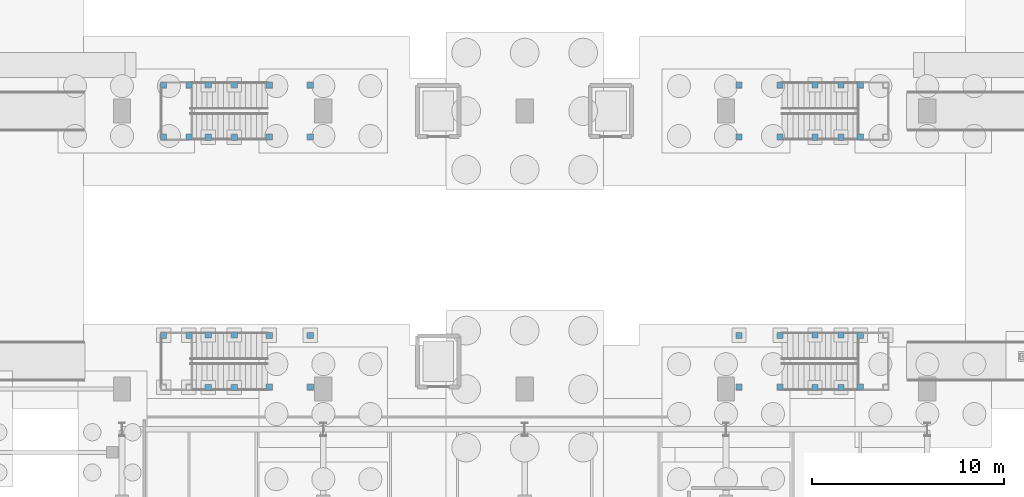
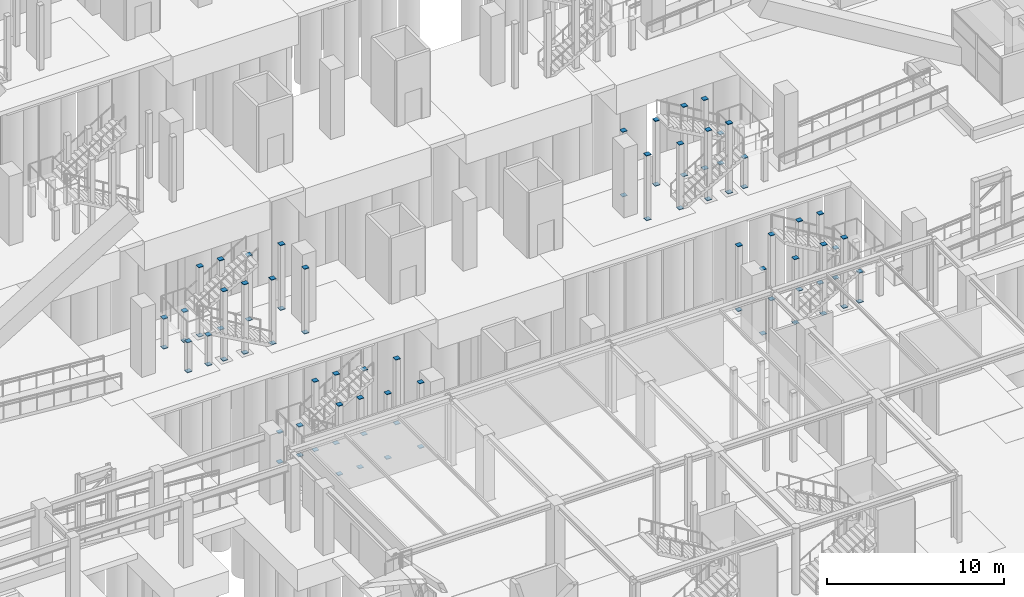
# One storey, part 124 of 160: 84 discrete accessories.
"""IFC4 building model written with IfcOpenShell, lengths in metres."""

from ifc_helpers import new_model, si_unit, direction, frame, origin, origin_2d, place, context, subcontext, project, spatial, rectangle, extrude, material, element, save


model = new_model("IFC4")

# Units and contexts
model_context = context("Model", 3, precision=1e-05, world=origin(), true_north=direction((0.0, 1.0)))
body_context = subcontext(model_context, "Body", "Model", "MODEL_VIEW")
ifc_project = project(units=[si_unit("LENGTHUNIT", "METRE"), si_unit("AREAUNIT", "SQUARE_METRE"), si_unit("VOLUMEUNIT", "CUBIC_METRE"), si_unit("PLANEANGLEUNIT", "RADIAN"), si_unit("MASSUNIT", "GRAM", prefix="KILO")], contexts=[model_context])

# Site, building, storey
site_placement = place(None, origin())
site = spatial("IfcSite", under=ifc_project, at=site_placement, CompositionType="ELEMENT")
building_placement = place(site_placement, origin())
building = spatial("IfcBuilding", under=site, at=building_placement, Name="Marlcrest Central Station", CompositionType="ELEMENT")
storey_placement = place(building_placement, origin())
storey = spatial("IfcBuildingStorey", under=building, at=storey_placement, Name="L00", CompositionType="ELEMENT", Elevation=0.0)

# Discrete accessories
ifc_material = material(Name="Steel S355", Category="steel")
for number, where, z_axis, x_axis, name in (
    (1, (94.679931640625, 36.60009765625, -0.014892578125), (0.0, 0.0, 1.0), (1.0, 0.0, 0.0), "endcap-stcol-tr-0001-946-366-s"),
    (2, (94.679931640625, 36.60009765625, 4.455078125), (0.0, 0.0, 1.0), (1.0, 0.0, 0.0), "endcap-stcol-tr-0001-946-366-e"),
    (3, (94.679931640625, 39.300048828125, -0.014892578125), (0.0, 0.0, 1.0), (1.0, 0.0, 0.0), "endcap-stcol-tr-0001-946-393-s"),
    (4, (94.679931640625, 39.300048828125, 4.455078125), (0.0, 0.0, 1.0), (1.0, 0.0, 0.0), "endcap-stcol-tr-0001-946-393-e"),
    (5, (96.820068359375, 36.60009765625, -0.014892578125), (0.0, 0.0, 1.0), (1.0, 0.0, 0.0), "endcap-stcol-tr-0001-968-366-s"),
    (6, (96.820068359375, 36.60009765625, 4.455078125), (0.0, 0.0, 1.0), (1.0, 0.0, 0.0), "endcap-stcol-tr-0001-968-366-e"),
    (7, (96.820068359375, 39.300048828125, -0.014892578125), (0.0, 0.0, 1.0), (1.0, 0.0, 0.0), "endcap-stcol-tr-0001-968-393-s"),
    (8, (96.820068359375, 39.300048828125, 4.455078125), (0.0, 0.0, 1.0), (1.0, 0.0, 0.0), "endcap-stcol-tr-0001-968-393-e"),
    (9, (89.169921875, 39.300048828125, -0.014892578125), (0.0, 0.0, 1.0), (1.0, 0.0, 0.0), "endcap-stcol-0002-891-393-s"),
    (10, (89.169921875, 39.300048828125, 2.05517578125), (0.0, 0.0, 1.0), (1.0, 0.0, 0.0), "endcap-stcol-0002-891-393-e"),
    (11, (90.489990234375, 39.300048828125, -0.014892578125), (0.0, 0.0, 1.0), (1.0, 0.0, 0.0), "endcap-stcol-0002-904-393-s"),
    (12, (90.489990234375, 39.300048828125, 2.05517578125), (0.0, 0.0, 1.0), (1.0, 0.0, 0.0), "endcap-stcol-0002-904-393-e"),
    (13, (91.5, 36.580078125, -0.014892578125), (0.0, 0.0, 1.0), (1.0, 0.0, 0.0), "endcap-stcol-hi0-0003-915-365-s"),
    (14, (91.5, 36.580078125, 4.775146484375), (0.0, 0.0, 1.0), (1.0, 0.0, 0.0), "endcap-stcol-hi0-0003-915-365-e"),
    (15, (91.5, 39.320068359375, -0.014892578125), (0.0, 0.0, 1.0), (1.0, 0.0, 0.0), "endcap-stcol-hi0-0003-915-393-s"),
    (16, (91.5, 39.320068359375, 4.775146484375), (0.0, 0.0, 1.0), (1.0, 0.0, 0.0), "endcap-stcol-hi0-0003-915-393-e"),
    (17, (92.860107421875, 36.580078125, -0.014892578125), (0.0, 0.0, 1.0), (1.0, 0.0, 0.0), "endcap-stcol-hi0-0003-928-365-s"),
    (18, (92.860107421875, 36.580078125, 4.775146484375), (0.0, 0.0, 1.0), (1.0, 0.0, 0.0), "endcap-stcol-hi0-0003-928-365-e"),
    (19, (92.860107421875, 39.320068359375, -0.014892578125), (0.0, 0.0, 1.0), (1.0, 0.0, 0.0), "endcap-stcol-hi0-0003-928-393-s"),
    (20, (92.860107421875, 39.320068359375, 4.775146484375), (0.0, 0.0, 1.0), (1.0, 0.0, 0.0), "endcap-stcol-hi0-0003-928-393-e"),
    (21, (119.179931640625, 36.60009765625, -0.014892578125), (0.0, 0.0, 1.0), (1.0, 0.0, 0.0), "endcap-stcol-tr-0004-1191-366-s"),
    (22, (119.179931640625, 36.60009765625, 4.455078125), (0.0, 0.0, 1.0), (1.0, 0.0, 0.0), "endcap-stcol-tr-0004-1191-366-e"),
    (23, (119.179931640625, 39.300048828125, -0.014892578125), (0.0, 0.0, 1.0), (1.0, 0.0, 0.0), "endcap-stcol-tr-0004-1191-393-s"),
    (24, (119.179931640625, 39.300048828125, 4.455078125), (0.0, 0.0, 1.0), (1.0, 0.0, 0.0), "endcap-stcol-tr-0004-1191-393-e"),
    (25, (121.320068359375, 36.60009765625, -0.014892578125), (0.0, 0.0, 1.0), (1.0, 0.0, 0.0), "endcap-stcol-tr-0004-1213-366-s"),
    (26, (121.320068359375, 36.60009765625, 4.455078125), (0.0, 0.0, 1.0), (1.0, 0.0, 0.0), "endcap-stcol-tr-0004-1213-366-e"),
    (27, (121.320068359375, 39.300048828125, -0.014892578125), (0.0, 0.0, 1.0), (1.0, 0.0, 0.0), "endcap-stcol-tr-0004-1213-393-s"),
    (28, (121.320068359375, 39.300048828125, 4.455078125), (0.0, 0.0, 1.0), (1.0, 0.0, 0.0), "endcap-stcol-tr-0004-1213-393-e"),
    (29, (125.510009765625, 36.60009765625, -0.014892578125), (0.0, 0.0, 1.0), (1.0, 0.0, 0.0), "endcap-stcol-0005-1255-366-s"),
    (30, (125.510009765625, 36.60009765625, 2.05517578125), (0.0, 0.0, 1.0), (1.0, 0.0, 0.0), "endcap-stcol-0005-1255-366-e"),
    (31, (125.510009765625, 39.300048828125, -0.014892578125), (0.0, 0.0, 1.0), (1.0, 0.0, 0.0), "endcap-stcol-0005-1255-393-s"),
    (32, (125.510009765625, 39.300048828125, 2.05517578125), (0.0, 0.0, 1.0), (1.0, 0.0, 0.0), "endcap-stcol-0005-1255-393-e"),
    (33, (123.139892578125, 36.580078125, -0.014892578125), (0.0, 0.0, 1.0), (1.0, 0.0, 0.0), "endcap-stcol-hi0-0006-1231-365-s"),
    (34, (123.139892578125, 36.580078125, 4.775146484375), (0.0, 0.0, 1.0), (1.0, 0.0, 0.0), "endcap-stcol-hi0-0006-1231-365-e"),
    (35, (123.139892578125, 39.320068359375, -0.014892578125), (0.0, 0.0, 1.0), (1.0, 0.0, 0.0), "endcap-stcol-hi0-0006-1231-393-s"),
    (36, (123.139892578125, 39.320068359375, 4.775146484375), (0.0, 0.0, 1.0), (1.0, 0.0, 0.0), "endcap-stcol-hi0-0006-1231-393-e"),
    (37, (124.5, 36.580078125, -0.014892578125), (0.0, 0.0, 1.0), (1.0, 0.0, 0.0), "endcap-stcol-hi0-0006-1245-365-s"),
    (38, (124.5, 36.580078125, 4.775146484375), (0.0, 0.0, 1.0), (1.0, 0.0, 0.0), "endcap-stcol-hi0-0006-1245-365-e"),
    (39, (124.5, 39.320068359375, -0.014892578125), (0.0, 0.0, 1.0), (1.0, 0.0, 0.0), "endcap-stcol-hi0-0006-1245-393-s"),
    (40, (124.5, 39.320068359375, 4.775146484375), (0.0, 0.0, 1.0), (1.0, 0.0, 0.0), "endcap-stcol-hi0-0006-1245-393-e"),
    (41, (94.679931640625, 49.64990234375, -0.014892578125), (0.0, 0.0, 1.0), (1.0, 0.0, 0.0), "endcap-stcol-tr-0007-946-496-s"),
    (42, (94.679931640625, 49.64990234375, 4.455078125), (0.0, 0.0, 1.0), (1.0, 0.0, 0.0), "endcap-stcol-tr-0007-946-496-e"),
    (43, (94.679931640625, 52.35009765625, -0.014892578125), (0.0, 0.0, 1.0), (1.0, 0.0, 0.0), "endcap-stcol-tr-0007-946-523-s"),
    (44, (94.679931640625, 52.35009765625, 4.455078125), (0.0, 0.0, 1.0), (1.0, 0.0, 0.0), "endcap-stcol-tr-0007-946-523-e"),
    (45, (96.820068359375, 49.64990234375, -0.014892578125), (0.0, 0.0, 1.0), (1.0, 0.0, 0.0), "endcap-stcol-tr-0007-968-496-s"),
    (46, (96.820068359375, 49.64990234375, 4.455078125), (0.0, 0.0, 1.0), (1.0, 0.0, 0.0), "endcap-stcol-tr-0007-968-496-e"),
    (47, (96.820068359375, 52.35009765625, -0.014892578125), (0.0, 0.0, 1.0), (1.0, 0.0, 0.0), "endcap-stcol-tr-0007-968-523-s"),
    (48, (96.820068359375, 52.35009765625, 4.455078125), (0.0, 0.0, 1.0), (1.0, 0.0, 0.0), "endcap-stcol-tr-0007-968-523-e"),
    (49, (89.169921875, 49.64990234375, -0.014892578125), (0.0, 0.0, 1.0), (1.0, 0.0, 0.0), "endcap-stcol-0008-891-496-s"),
    (50, (89.169921875, 49.64990234375, 2.05517578125), (0.0, 0.0, 1.0), (1.0, 0.0, 0.0), "endcap-stcol-0008-891-496-e"),
    (51, (89.169921875, 52.35009765625, -0.014892578125), (0.0, 0.0, 1.0), (1.0, 0.0, 0.0), "endcap-stcol-0008-891-523-s"),
    (52, (89.169921875, 52.35009765625, 2.05517578125), (0.0, 0.0, 1.0), (1.0, 0.0, 0.0), "endcap-stcol-0008-891-523-e"),
    (53, (90.489990234375, 49.64990234375, -0.014892578125), (0.0, 0.0, 1.0), (1.0, 0.0, 0.0), "endcap-stcol-0008-904-496-s"),
    (54, (90.489990234375, 49.64990234375, 2.05517578125), (0.0, 0.0, 1.0), (1.0, 0.0, 0.0), "endcap-stcol-0008-904-496-e"),
    (55, (90.489990234375, 52.35009765625, -0.014892578125), (0.0, 0.0, 1.0), (1.0, 0.0, 0.0), "endcap-stcol-0008-904-523-s"),
    (56, (90.489990234375, 52.35009765625, 2.05517578125), (0.0, 0.0, 1.0), (1.0, 0.0, 0.0), "endcap-stcol-0008-904-523-e"),
    (57, (91.5, 49.6298828125, -0.014892578125), (0.0, 0.0, 1.0), (1.0, 0.0, 0.0), "endcap-stcol-hi0-0009-915-496-s"),
    (58, (91.5, 49.6298828125, 4.775146484375), (0.0, 0.0, 1.0), (1.0, 0.0, 0.0), "endcap-stcol-hi0-0009-915-496-e"),
    (59, (91.5, 52.3701171875, -0.014892578125), (0.0, 0.0, 1.0), (1.0, 0.0, 0.0), "endcap-stcol-hi0-0009-915-523-s"),
    (60, (91.5, 52.3701171875, 4.775146484375), (0.0, 0.0, 1.0), (1.0, 0.0, 0.0), "endcap-stcol-hi0-0009-915-523-e"),
    (61, (92.860107421875, 49.6298828125, -0.014892578125), (0.0, 0.0, 1.0), (1.0, 0.0, 0.0), "endcap-stcol-hi0-0009-928-496-s"),
    (62, (92.860107421875, 49.6298828125, 4.775146484375), (0.0, 0.0, 1.0), (1.0, 0.0, 0.0), "endcap-stcol-hi0-0009-928-496-e"),
    (63, (92.860107421875, 52.3701171875, -0.014892578125), (0.0, 0.0, 1.0), (1.0, 0.0, 0.0), "endcap-stcol-hi0-0009-928-523-s"),
    (64, (92.860107421875, 52.3701171875, 4.775146484375), (0.0, 0.0, 1.0), (1.0, 0.0, 0.0), "endcap-stcol-hi0-0009-928-523-e"),
    (65, (119.179931640625, 49.64990234375, -0.014892578125), (0.0, 0.0, 1.0), (1.0, 0.0, 0.0), "endcap-stcol-tr-0010-1191-496-s"),
    (66, (119.179931640625, 49.64990234375, 4.455078125), (0.0, 0.0, 1.0), (1.0, 0.0, 0.0), "endcap-stcol-tr-0010-1191-496-e"),
    (67, (119.179931640625, 52.35009765625, -0.014892578125), (0.0, 0.0, 1.0), (1.0, 0.0, 0.0), "endcap-stcol-tr-0010-1191-523-s"),
    (68, (119.179931640625, 52.35009765625, 4.455078125), (0.0, 0.0, 1.0), (1.0, 0.0, 0.0), "endcap-stcol-tr-0010-1191-523-e"),
    (69, (121.320068359375, 49.64990234375, -0.014892578125), (0.0, 0.0, 1.0), (1.0, 0.0, 0.0), "endcap-stcol-tr-0010-1213-496-s"),
    (70, (121.320068359375, 49.64990234375, 4.455078125), (0.0, 0.0, 1.0), (1.0, 0.0, 0.0), "endcap-stcol-tr-0010-1213-496-e"),
    (71, (121.320068359375, 52.35009765625, -0.014892578125), (0.0, 0.0, 1.0), (1.0, 0.0, 0.0), "endcap-stcol-tr-0010-1213-523-s"),
    (72, (121.320068359375, 52.35009765625, 4.455078125), (0.0, 0.0, 1.0), (1.0, 0.0, 0.0), "endcap-stcol-tr-0010-1213-523-e"),
    (73, (125.510009765625, 49.64990234375, -0.014892578125), (0.0, 0.0, 1.0), (1.0, 0.0, 0.0), "endcap-stcol-0011-1255-496-s"),
    (74, (125.510009765625, 49.64990234375, 2.05517578125), (0.0, 0.0, 1.0), (1.0, 0.0, 0.0), "endcap-stcol-0011-1255-496-e"),
    (75, (125.510009765625, 52.35009765625, -0.014892578125), (0.0, 0.0, 1.0), (1.0, 0.0, 0.0), "endcap-stcol-0011-1255-523-s"),
    (76, (125.510009765625, 52.35009765625, 2.05517578125), (0.0, 0.0, 1.0), (1.0, 0.0, 0.0), "endcap-stcol-0011-1255-523-e"),
    (77, (123.139892578125, 49.6298828125, -0.014892578125), (0.0, 0.0, 1.0), (1.0, 0.0, 0.0), "endcap-stcol-hi0-0012-1231-496-s"),
    (78, (123.139892578125, 49.6298828125, 4.775146484375), (0.0, 0.0, 1.0), (1.0, 0.0, 0.0), "endcap-stcol-hi0-0012-1231-496-e"),
    (79, (123.139892578125, 52.3701171875, -0.014892578125), (0.0, 0.0, 1.0), (1.0, 0.0, 0.0), "endcap-stcol-hi0-0012-1231-523-s"),
    (80, (123.139892578125, 52.3701171875, 4.775146484375), (0.0, 0.0, 1.0), (1.0, 0.0, 0.0), "endcap-stcol-hi0-0012-1231-523-e"),
    (81, (124.5, 49.6298828125, -0.014892578125), (0.0, 0.0, 1.0), (1.0, 0.0, 0.0), "endcap-stcol-hi0-0012-1245-496-s"),
    (82, (124.5, 49.6298828125, 4.775146484375), (0.0, 0.0, 1.0), (1.0, 0.0, 0.0), "endcap-stcol-hi0-0012-1245-496-e"),
    (83, (124.5, 52.3701171875, -0.014892578125), (0.0, 0.0, 1.0), (1.0, 0.0, 0.0), "endcap-stcol-hi0-0012-1245-523-s"),
    (84, (124.5, 52.3701171875, 4.775146484375), (0.0, 0.0, 1.0), (1.0, 0.0, 0.0), "endcap-stcol-hi0-0012-1245-523-e"),
):
    element("IfcDiscreteAccessory", number, at=place(storey_placement, frame(where, z_axis=z_axis, x_axis=x_axis)), inside=storey, material=ifc_material, Name=name, ObjectType="END_CAP_PLATE", PredefinedType="BRACKET", context=body_context, shape_type="SweptSolid", body=[
        extrude(rectangle(XDim=0.31591796875, YDim=0.31591796875, at=origin_2d()), origin(), (0.0, 0.0, 1.0), 0.0400390625),
    ])

save(model, "model.ifc")
